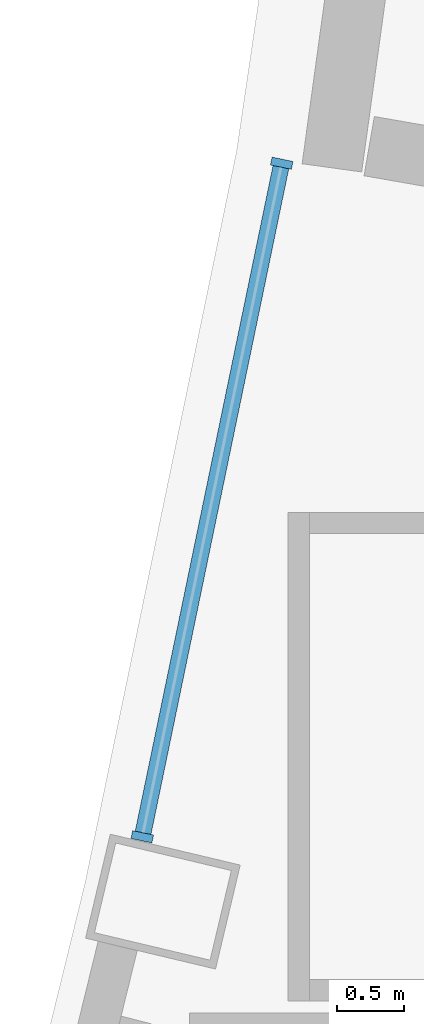
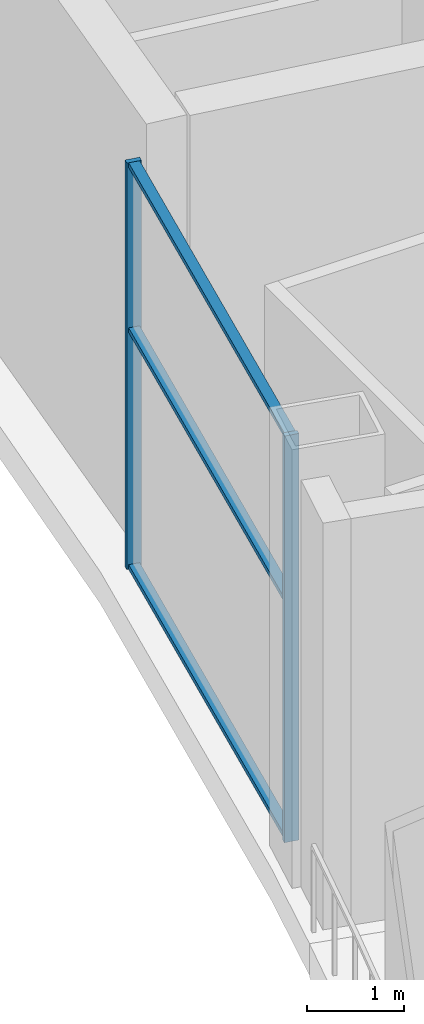
# One storey, part 2 of 13: 5 members, 1 element without a shape of its own.
"""IFC4 building model written with IfcOpenShell, lengths in metres."""

from ifc_helpers import new_model, si_unit, direction, frame, origin, origin_2d, place, context, subcontext, project, spatial, rectangle, extrude, material, layer, layer_set, material_profile, profile_set, type_object, element, aggregate, save


model = new_model("IFC4")

# Units and contexts
model_context = context("Model", 3, precision=1e-05, world=origin(), true_north=direction((0.0, 1.0)))
body_context = subcontext(model_context, "Body", "Model", "MODEL_VIEW")
ifc_project = project(units=[si_unit("LENGTHUNIT", "METRE"), si_unit("AREAUNIT", "SQUARE_METRE"), si_unit("VOLUMEUNIT", "CUBIC_METRE"), si_unit("PLANEANGLEUNIT", "RADIAN"), si_unit("MASSUNIT", "GRAM", prefix="KILO")], contexts=[model_context])

# Site, building, storey
site_placement = place(None, origin())
site = spatial("IfcSite", under=ifc_project, at=site_placement, CompositionType="ELEMENT")
building_placement = place(site_placement, origin())
building = spatial("IfcBuilding", under=site, at=building_placement, Name="Alderwake Tower", CompositionType="ELEMENT")
storey_placement = place(building_placement, frame((0.0, 0.0, 304.5)))
storey = spatial("IfcBuildingStorey", under=building, at=storey_placement, Name="L74", CompositionType="ELEMENT", Elevation=304.5)

# Curtain wall, members
ifc_material_1 = material(Name="Bronze tinted glass in aluminium frame", Category="aluminium")
ifc_layer = layer(ifc_material_1, 0.199951171875)
ifc_layer_set = layer_set([ifc_layer], Name="Curtain wall CW5 sky amenity glazing")
curtain_wall_type = type_object("IfcCurtainWallType", Name="Curtain wall CW5 sky amenity glazing", PredefinedType="NOTDEFINED", material=ifc_layer_set)
curtain_wall_placement = place(storey_placement, origin())
curtain_wall = element("IfcCurtainWall", 1, at=curtain_wall_placement, inside=storey, type_object=curtain_wall_type, Name="Curtain wall 5", PredefinedType="NOTDEFINED")
ifc_material_2 = material(Name="Aluminium bronze anodised", Category="aluminium")
ifc_material_profile_1 = material_profile(ifc_material_2, rectangle(XDim=0.159912109375, YDim=0.06005859375, at=origin_2d()), Name="Mullion MUE 60x160")
ifc_profile_set_1 = profile_set([ifc_material_profile_1], Name="Aluminium bronze anodised")
member_type_1 = type_object("IfcMemberType", Name="Mullion MUE 60x160", PredefinedType="MULLION", material=ifc_profile_set_1)
member_1_placement = place(storey_placement, frame((14.8720703125, 44.19384765625, 0.0), z_axis=(0.0, 0.0, 1.0), x_axis=(0.979228898997, -0.202757893481, 0.0)))
member_1 = element("IfcMember", 2, at=member_1_placement, type_object=member_type_1, Name="CW.05 mullion 1", PredefinedType="MULLION", context=body_context, shape_type="SweptSolid", body=[
    extrude(rectangle(XDim=0.159912109375, YDim=0.06005859375, at=origin_2d()), origin(), (0.0, 0.0, 1.0), 5.10009765625),
])
member_2_placement = place(storey_placement, frame((13.82763671875, 39.149658203125, 0.0), z_axis=(0.0, 0.0, 1.0), x_axis=(0.979228898997, -0.202757893481, 0.0)))
member_2 = element("IfcMember", 3, at=member_2_placement, type_object=member_type_1, Name="CW.05 mullion 2", PredefinedType="MULLION", context=body_context, shape_type="SweptSolid", body=[
    extrude(rectangle(XDim=0.159912109375, YDim=0.06005859375, at=origin_2d()), origin(), (0.0, 0.0, 1.0), 5.10009765625),
])
ifc_material_3 = material(Name="Aluminium bronze anodised", Category="aluminium")
ifc_material_profile_2 = material_profile(ifc_material_3, rectangle(XDim=0.1201171875, YDim=0.06005859375, at=origin_2d()), Name="Transom TRE 60x120")
ifc_profile_set_2 = profile_set([ifc_material_profile_2], Name="Aluminium bronze anodised")
member_type_2 = type_object("IfcMemberType", Name="Transom TRE 60x120", PredefinedType="USERDEFINED", material=ifc_profile_set_2)
member_3_placement = place(storey_placement, frame((14.865966796875, 44.16455078125, 0.030029296875), z_axis=(-0.202751488355, -0.979230225213, 0.0), x_axis=(0.979230225213, -0.202751488355, 0.0)))
member_3 = element("IfcMember", 4, at=member_3_placement, type_object=member_type_2, Name="CW.05 transom 1.1", ObjectType="TRANSOM", PredefinedType="USERDEFINED", context=body_context, shape_type="SweptSolid", body=[
    extrude(rectangle(XDim=0.1201171875, YDim=0.06005859375, at=origin_2d()), origin(), (0.0, 0.0, 1.0), 5.091064453125),
])
member_4_placement = place(storey_placement, frame((14.865966796875, 44.16455078125, 3.0), z_axis=(-0.202751488355, -0.979230225213, 0.0), x_axis=(0.979230225213, -0.202751488355, 0.0)))
member_4 = element("IfcMember", 5, at=member_4_placement, type_object=member_type_2, Name="CW.05 transom 1.2", ObjectType="TRANSOM", PredefinedType="USERDEFINED", context=body_context, shape_type="SweptSolid", body=[
    extrude(rectangle(XDim=0.1201171875, YDim=0.06005859375, at=origin_2d()), origin(), (0.0, 0.0, 1.0), 5.091064453125),
])
member_5_placement = place(storey_placement, frame((14.865966796875, 44.16455078125, 5.070068359375), z_axis=(-0.202751488355, -0.979230225213, 0.0), x_axis=(0.979230225213, -0.202751488355, 0.0)))
member_5 = element("IfcMember", 6, at=member_5_placement, type_object=member_type_2, Name="CW.05 transom 1.3", ObjectType="TRANSOM", PredefinedType="USERDEFINED", context=body_context, shape_type="SweptSolid", body=[
    extrude(rectangle(XDim=0.1201171875, YDim=0.06005859375, at=origin_2d()), origin(), (0.0, 0.0, 1.0), 5.091064453125),
])
aggregate(curtain_wall, [member_1, member_2, member_3, member_4, member_5])

save(model, "model.ifc")
